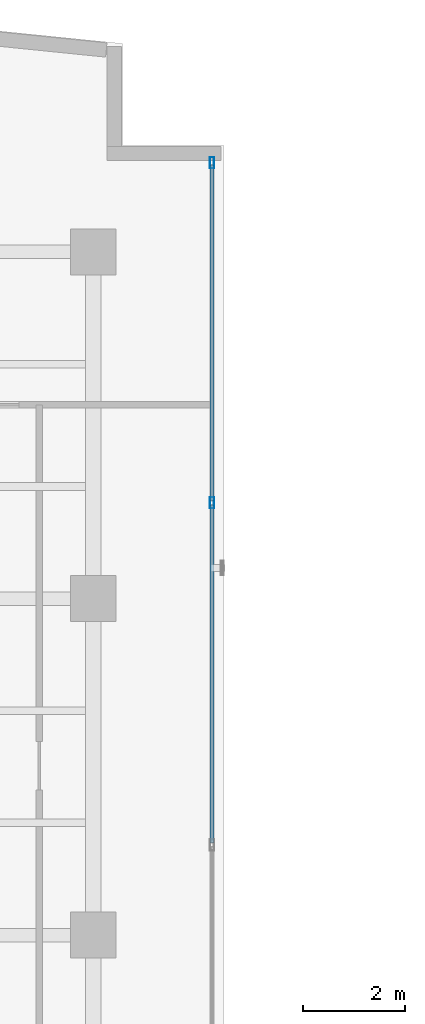
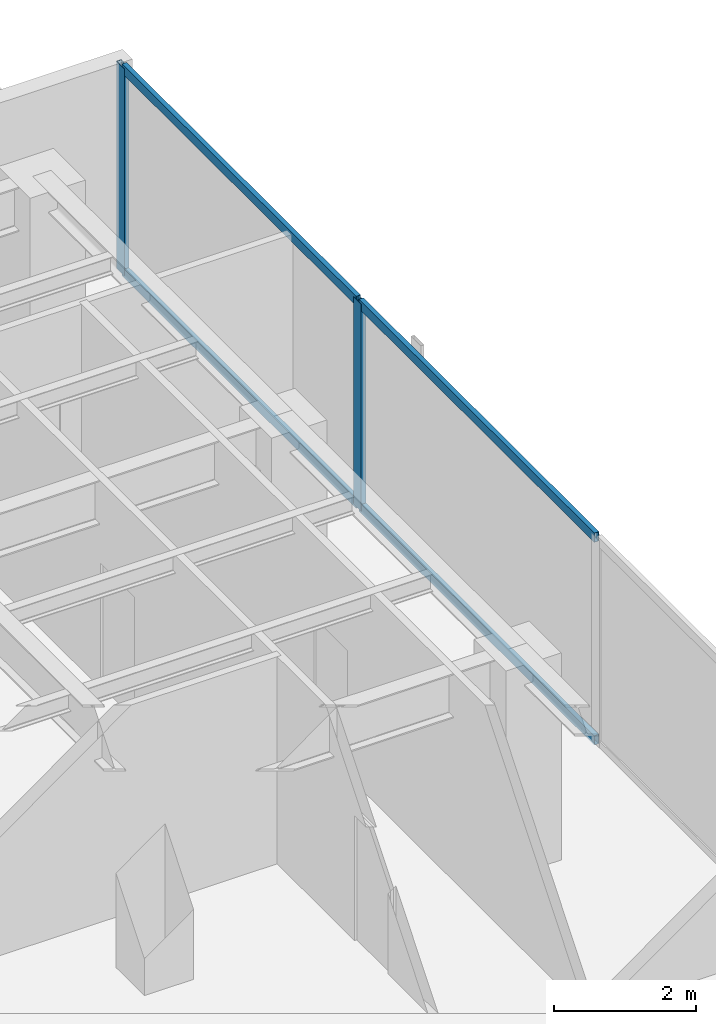
# One storey, part 14 of 22: 6 members, 1 element without a shape of its own.
"""IFC4 building model written with IfcOpenShell, lengths in metres."""

from ifc_helpers import new_model, si_unit, direction, frame, origin, origin_with_axes, origin_2d, place, context, subcontext, project, spatial, hollow_rectangle, extrude, source, transform, mapped, material, layer, layer_set, material_profile, profile_set, type_object, element, aggregate, save


model = new_model("IFC4")

# Units and contexts
model_context = context("Model", 3, precision=1e-05, world=origin(), true_north=direction((0.0, 1.0)))
body_context = subcontext(model_context, "Body", "Model", "MODEL_VIEW")
ifc_project = project(units=[si_unit("LENGTHUNIT", "METRE"), si_unit("AREAUNIT", "SQUARE_METRE"), si_unit("VOLUMEUNIT", "CUBIC_METRE"), si_unit("PLANEANGLEUNIT", "RADIAN"), si_unit("MASSUNIT", "GRAM", prefix="KILO")], contexts=[model_context])

# Site, building, storey
site_placement = place(None, origin())
site = spatial("IfcSite", under=ifc_project, at=site_placement, CompositionType="ELEMENT")
building_placement = place(site_placement, origin())
building = spatial("IfcBuilding", under=site, at=building_placement, Name="Kolvaren Waterfront Exchange", CompositionType="ELEMENT")
storey_placement = place(building_placement, frame((0.0, 0.0, 274.199951171875)))
storey = spatial("IfcBuildingStorey", under=building, at=storey_placement, Name="L70", CompositionType="ELEMENT", Elevation=274.199951171875)

# Curtain wall, members
ifc_material_1 = material(Name="Anodised bronze aluminium 6063-T6", Category="aluminium")
ifc_layer = layer(ifc_material_1, 0.219970703125, Name="Anodised bronze aluminium 6063-T6")
ifc_layer_set = layer_set([ifc_layer], Name="Anodised bronze aluminium 6063-T6")
curtain_wall_type = type_object("IfcCurtainWallType", Name="ARC-CW-SYS1", PredefinedType="USERDEFINED", material=ifc_layer_set)
curtain_wall_placement = place(storey_placement, origin())
curtain_wall = element("IfcCurtainWall", 1, at=curtain_wall_placement, inside=storey, type_object=curtain_wall_type, Name="L70 stick curtain wall CW1 (CW-L70-NE)", ObjectType="STICK CURTAIN WALL", PredefinedType="USERDEFINED")
ifc_material_2 = material(Name="Anodised aluminium 6063-T6", Category="aluminium")
ifc_material_profile_1 = material_profile(ifc_material_2, hollow_rectangle(XDim=0.080078125, YDim=0.219970703125, WallThickness=0.0048828125, at=origin_2d()), Name="ALU-MUL-220x80x5")
ifc_profile_set_1 = profile_set([ifc_material_profile_1], Name="Anodised aluminium 6063-T6")
member_type_1 = type_object("IfcMemberType", Name="ARC-CWM-220", PredefinedType="MULLION", material=ifc_profile_set_1)
shared_shape_1 = source(origin_with_axes(), body_context, "Body", "SweptSolid", [
    extrude(hollow_rectangle(XDim=0.080078125, YDim=0.219970703125, WallThickness=0.0048828125, at=origin_2d()), origin(), (0.0, 0.0, 1.0), 3.56005859375),
])
member_1_placement = place(storey_placement, frame((21.12841796875, 39.67919921875, 0.0), z_axis=(0.0, 0.0, 1.0), x_axis=(-1.0, 0.0, 0.0)))
member_1 = element("IfcMember", 2, at=member_1_placement, type_object=member_type_1, Name="CW1 mullion 3", PredefinedType="MULLION", context=body_context, shape_type="MappedRepresentation", body=[
    mapped(shared_shape_1, transform((0.0, 0.0, 0.0), x_axis=(1.0, 0.0, 0.0), y_axis=(0.0, 1.0, 0.0), z_axis=(0.0, 0.0, 1.0), scale=1.0)),
])
member_2_placement = place(storey_placement, frame((21.12841796875, 46.349609375, 0.0), z_axis=(0.0, 0.0, 1.0), x_axis=(-1.0, 0.0, 0.0)))
member_2 = element("IfcMember", 3, at=member_2_placement, type_object=member_type_1, Name="CW1 mullion 4", PredefinedType="MULLION", context=body_context, shape_type="MappedRepresentation", body=[
    mapped(shared_shape_1, transform((0.0, 0.0, 0.0), x_axis=(1.0, 0.0, 0.0), y_axis=(0.0, 1.0, 0.0), z_axis=(0.0, 0.0, 1.0), scale=1.0)),
])
ifc_material_profile_2 = material_profile(ifc_material_2, hollow_rectangle(XDim=0.074951171875, YDim=0.159912109375, WallThickness=0.00439453125, at=origin_2d()), Name="ALU-TRN-160x75x4.5")
ifc_profile_set_2 = profile_set([ifc_material_profile_2], Name="Anodised aluminium 6063-T6")
member_type_2 = type_object("IfcMemberType", Name="ARC-CWT-160", PredefinedType="USERDEFINED", material=ifc_profile_set_2)
shared_shape_2 = source(origin_with_axes(), body_context, "Body", "SweptSolid", [
    extrude(hollow_rectangle(XDim=0.074951171875, YDim=0.159912109375, WallThickness=0.00439453125, at=origin_2d()), origin(), (0.0, 0.0, 1.0), 6.59033203125),
])
member_3_placement = place(storey_placement, frame((21.12841796875, 39.71923828125, 0.03759765625), z_axis=(0.0, 1.0, 0.0), x_axis=(-1.0, 0.0, 0.0)))
member_3 = element("IfcMember", 4, at=member_3_placement, type_object=member_type_2, Name="CW1 transom 3.1", ObjectType="TRANSOM", PredefinedType="USERDEFINED", context=body_context, shape_type="MappedRepresentation", body=[
    mapped(shared_shape_2, transform((0.0, 0.0, 0.0), x_axis=(1.0, 0.0, 0.0), y_axis=(0.0, 1.0, 0.0), z_axis=(0.0, 0.0, 1.0), scale=1.0)),
])
member_4_placement = place(storey_placement, frame((21.12841796875, 39.71923828125, 3.5224609375), z_axis=(0.0, 1.0, 0.0), x_axis=(-1.0, 0.0, 0.0)))
member_4 = element("IfcMember", 5, at=member_4_placement, type_object=member_type_2, Name="CW1 transom 3.2", ObjectType="TRANSOM", PredefinedType="USERDEFINED", context=body_context, shape_type="MappedRepresentation", body=[
    mapped(shared_shape_2, transform((0.0, 0.0, 0.0), x_axis=(1.0, 0.0, 0.0), y_axis=(0.0, 1.0, 0.0), z_axis=(0.0, 0.0, 1.0), scale=1.0)),
])
shared_shape_3 = source(origin_with_axes(), body_context, "Body", "SweptSolid", [
    extrude(hollow_rectangle(XDim=0.074951171875, YDim=0.159912109375, WallThickness=0.00439453125, at=origin_2d()), origin(), (0.0, 0.0, 1.0), 6.63037109375),
])
member_5_placement = place(storey_placement, frame((21.12841796875, 33.0087890625, 0.03759765625), z_axis=(0.0, 1.0, 0.0), x_axis=(-1.0, 0.0, 0.0)))
member_5 = element("IfcMember", 6, at=member_5_placement, type_object=member_type_2, Name="CW1 transom 2.1", ObjectType="TRANSOM", PredefinedType="USERDEFINED", context=body_context, shape_type="MappedRepresentation", body=[
    mapped(shared_shape_3, transform((0.0, 0.0, 0.0), x_axis=(1.0, 0.0, 0.0), y_axis=(0.0, 1.0, 0.0), z_axis=(0.0, 0.0, 1.0), scale=1.0)),
])
member_6_placement = place(storey_placement, frame((21.12841796875, 33.0087890625, 3.5224609375), z_axis=(0.0, 1.0, 0.0), x_axis=(-1.0, 0.0, 0.0)))
member_6 = element("IfcMember", 7, at=member_6_placement, type_object=member_type_2, Name="CW1 transom 2.2", ObjectType="TRANSOM", PredefinedType="USERDEFINED", context=body_context, shape_type="MappedRepresentation", body=[
    mapped(shared_shape_3, transform((0.0, 0.0, 0.0), x_axis=(1.0, 0.0, 0.0), y_axis=(0.0, 1.0, 0.0), z_axis=(0.0, 0.0, 1.0), scale=1.0)),
])
aggregate(curtain_wall, [member_1, member_2, member_5, member_6, member_3, member_4])

save(model, "model.ifc")
